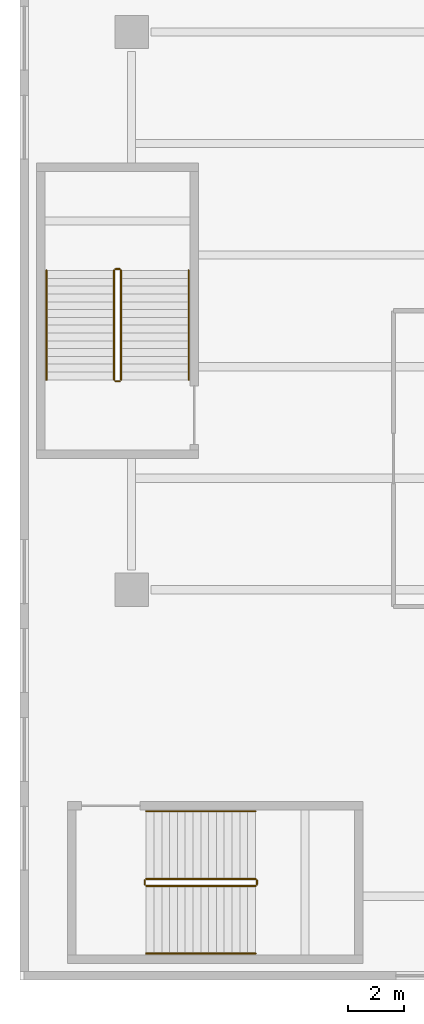
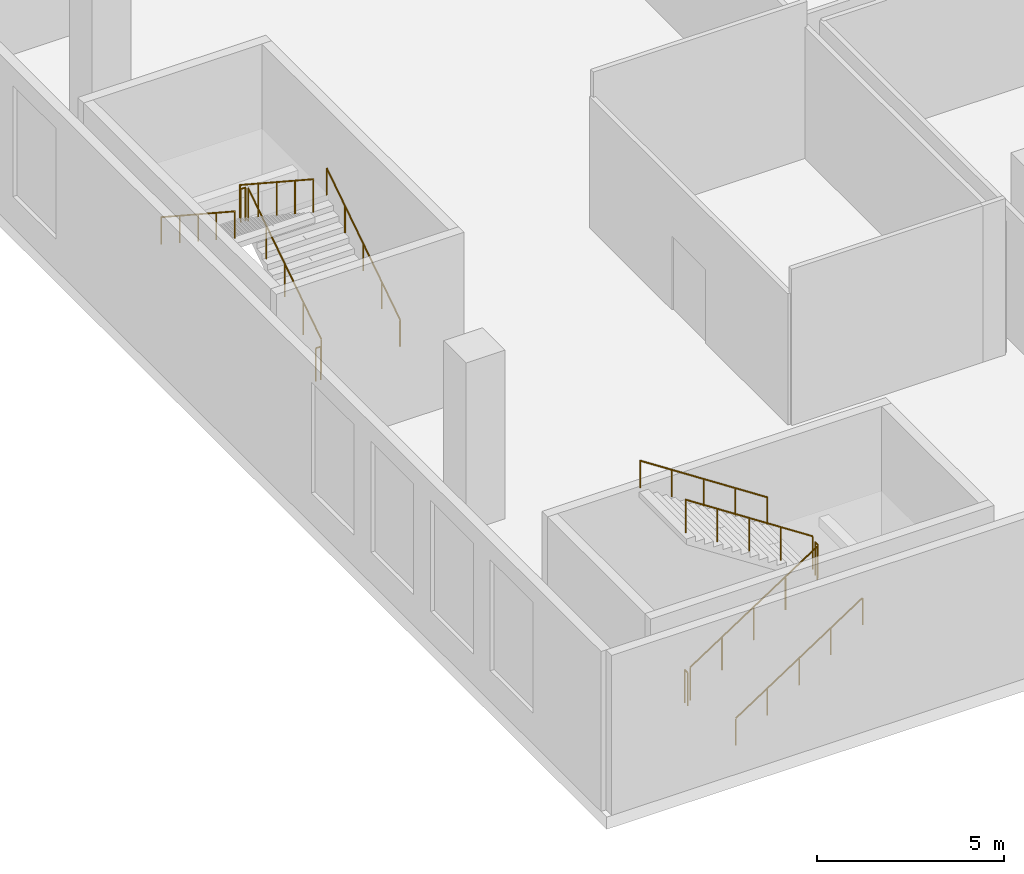
# One storey, part 18 of 26: 12 railings.
"""IFC4 building model written with IfcOpenShell, lengths in metres."""

import ifcopenshell
import ifcopenshell.guid

model = None  # the IFC model being written
_history = None  # IfcOwnerHistory: only IFC2X3 demands one
_inside = {}  # id of a spatial element -> (the spatial element, [elements in it])
_under = {}  # id of a project, library or spatial element -> (it, [spatial elements below it])
_declared = {}  # id of a project -> (the project, [libraries it declares])
_typed = {}  # id of a type object -> (the type object, [elements of that type])
_made_of = {}  # id of a material, layer set ... -> (it, [elements and type objects made of it])


def new_model(schema):
    """Start an empty IFC model of exactly this schema.

    Asked for "IFC4X3", IfcOpenShell would pick the latest addendum, in which some entities
    have other attributes; the version numbers below select the first issue.
    IFC2X3 requires an IfcOwnerHistory on every rooted entity: one is made here for all.
    """
    global model, _history
    if schema == "IFC4X3":
        model = ifcopenshell.file(schema_version=(4, 3, 0, 0))
    else:
        model = ifcopenshell.file(schema=schema)
    _inside.clear()
    _under.clear()
    _declared.clear()
    _typed.clear()
    _made_of.clear()
    _history = None
    if model.schema == "IFC2X3":
        org = make("IfcOrganization", Name="unknown")
        user = make(
            "IfcPersonAndOrganization",
            ThePerson=make("IfcPerson", FamilyName="unknown"),
            TheOrganization=org,
        )
        app = make(
            "IfcApplication",
            ApplicationDeveloper=org,
            Version="unknown",
            ApplicationFullName="unknown",
            ApplicationIdentifier="unknown",
        )
        _history = make(
            "IfcOwnerHistory",
            OwningUser=user,
            OwningApplication=app,
            ChangeAction="ADDED",
            CreationDate=0,
        )
    return model


def make(cls, **values):
    """One entity of the class cls with the attributes given. An attribute that is None is left unset."""
    return model.create_entity(
        cls, **{name: value for name, value in values.items() if value is not None}
    )


def rooted(cls, **values):
    """An entity with a GlobalId (a new one), such as an element, a storey or a relation."""
    return make(cls, GlobalId=ifcopenshell.guid.new(), OwnerHistory=_history, **values)


def si_unit(unit_type, name, prefix=None):
    """IfcSIUnit, for example si_unit("LENGTHUNIT", "METRE", prefix="MILLI")."""
    return make("IfcSIUnit", UnitType=unit_type, Prefix=prefix, Name=name)


def assignment(units):
    """IfcUnitAssignment: the units of a project."""
    return None if units is None else make("IfcUnitAssignment", Units=units)


def point(xyz):
    """IfcCartesianPoint."""
    return None if xyz is None else make("IfcCartesianPoint", Coordinates=xyz)


def direction(xyz):
    """IfcDirection."""
    return None if xyz is None else make("IfcDirection", DirectionRatios=xyz)


def frame(location, z_axis=None, x_axis=None):
    """IfcAxis2Placement3D, a coordinate frame: its origin and axes. An axis left out is left unset."""
    return make(
        "IfcAxis2Placement3D",
        Location=point(location),
        Axis=direction(z_axis),
        RefDirection=direction(x_axis),
    )


def frame_2d(location, x_axis=None):
    """IfcAxis2Placement2D, a coordinate frame in the plane: its origin and x axis."""
    return make(
        "IfcAxis2Placement2D", Location=point(location), RefDirection=direction(x_axis)
    )


def origin():
    """The frame at (0, 0, 0) with its axes left unset."""
    return frame((0.0, 0.0, 0.0))


def origin_2d():
    """The frame at (0, 0) in the plane with its x axis left unset."""
    return frame_2d((0.0, 0.0))


def place(relative_to, where):
    """IfcLocalPlacement: puts the frame where relative to a parent placement (None: the world)."""
    return make(
        "IfcLocalPlacement", PlacementRelTo=relative_to, RelativePlacement=where
    )


def context(
    kind, dimensions, precision=None, world=None, true_north=None, identifier=None
):
    """IfcGeometricRepresentationContext, for example the 3D "Model" context."""
    return make(
        "IfcGeometricRepresentationContext",
        ContextIdentifier=identifier,
        ContextType=kind,
        CoordinateSpaceDimension=dimensions,
        Precision=precision,
        WorldCoordinateSystem=world,
        TrueNorth=true_north,
    )


def subcontext(parent, identifier, kind, view, scale=None):
    """IfcGeometricRepresentationSubContext, for example "Body" below "Model"."""
    return make(
        "IfcGeometricRepresentationSubContext",
        ContextIdentifier=identifier,
        ContextType=kind,
        ParentContext=parent,
        TargetScale=scale,
        TargetView=view,
    )


def project(units=None, contexts=None):
    """IfcProject with its units and contexts."""
    return rooted(
        "IfcProject",
        Name="project",
        RepresentationContexts=contexts,
        UnitsInContext=assignment(units),
    )


def spatial(cls, under=None, at=None, **own):
    """A site, building, storey or space (cls), placed at a placement, below another one or the project."""
    s = rooted(cls, ObjectPlacement=at, **own)
    if under is not None:
        _under.setdefault(under.id(), (under, []))[1].append(s)
    return s


def profile(cls, at=None, kind="AREA", **sizes):
    """A parametric profile (cls). Its sizes go by their IFC names, for example OverallWidth=200.0."""
    return make(cls, ProfileType=kind, Position=at, **sizes)


def circle(**sizes):
    """IfcCircleProfileDef."""
    return profile("IfcCircleProfileDef", **sizes)


def extrude(swept, where, along, depth):
    """IfcExtrudedAreaSolid: the profile swept, set in the frame where, extruded along a direction by depth."""
    return make(
        "IfcExtrudedAreaSolid",
        SweptArea=swept,
        Position=where,
        ExtrudedDirection=direction(along),
        Depth=depth,
    )


def shape(context_of_items, identifier, shape_type, items):
    """IfcShapeRepresentation: the items that make up one representation, for example the "Body"."""
    return make(
        "IfcShapeRepresentation",
        ContextOfItems=context_of_items,
        RepresentationIdentifier=identifier,
        RepresentationType=shape_type,
        Items=items,
    )


def material(Name=None, Category=None):
    """IfcMaterial."""
    return make("IfcMaterial", Name=Name, Category=Category)


def made_of(thing, what):
    """Note that an element or type object is made of a material, layer set ...; save() writes the relation."""
    if what is not None:
        _made_of.setdefault(what.id(), (what, []))[1].append(thing)
    return thing


def type_object(cls, material=None, **own):
    """A type object (cls), such as IfcWallType, which elements share."""
    return made_of(rooted(cls, **own), material)


def element(
    cls,
    number,
    at=None,
    inside=None,
    cuts=None,
    type_object=None,
    material=None,
    context=None,
    identifier="Body",
    shape_type=None,
    held_by="IfcProductDefinitionShape",
    body=None,
    shapes=None,
    **own,
):
    """One element of the class cls, such as IfcWall. Its Tag is "e" and its number.

    at: its placement. inside: the storey or other place that contains it. cuts: it is an
    opening in that element (IfcRelVoidsElement). A single representation is given by context,
    identifier, shape_type and body (its items); several are given by shapes. held_by: the class
    of the entity that holds the representations. save() writes the other relations.
    """
    e = rooted(cls, Tag="e%d" % number, ObjectPlacement=at, **own)
    if body is not None:
        shapes = [shape(context, identifier, shape_type, body)]
    if shapes is not None:
        e.Representation = make(held_by, Representations=shapes)
    if inside is not None:
        _inside.setdefault(inside.id(), (inside, []))[1].append(e)
    if cuts is not None:
        rooted(
            "IfcRelVoidsElement", RelatingBuildingElement=cuts, RelatedOpeningElement=e
        )
    if type_object is not None:
        _typed.setdefault(type_object.id(), (type_object, []))[1].append(e)
    return made_of(e, material)


def aggregate(whole, parts):
    """IfcRelAggregates: a whole, such as a stair, and the parts it consists of."""
    return rooted("IfcRelAggregates", RelatingObject=whole, RelatedObjects=parts)


def save(model, path):
    """Write the relations noted so far, then the file.

    IfcRelAggregates (storeys below a building ...), IfcRelContainedInSpatialStructure (elements
    in a storey), IfcRelDefinesByType, IfcRelAssociatesMaterial and IfcRelDeclares: one each for
    every whole, place, type object, material and project.
    """
    for whole, parts in _under.values():
        aggregate(whole, parts)
    for where, things in _inside.values():
        rooted(
            "IfcRelContainedInSpatialStructure",
            RelatedElements=things,
            RelatingStructure=where,
        )
    for kind, things in _typed.values():
        rooted("IfcRelDefinesByType", RelatedObjects=things, RelatingType=kind)
    for what, things in _made_of.values():
        rooted("IfcRelAssociatesMaterial", RelatedObjects=things, RelatingMaterial=what)
    for by, libraries in _declared.values():
        rooted("IfcRelDeclares", RelatingContext=by, RelatedDefinitions=libraries)
    model.write(path)


model = new_model("IFC4")

# Units and contexts
model_context = context("Model", 3, precision=1e-05, world=origin(), true_north=direction((0.0, 1.0)))
body_context = subcontext(model_context, "Body", "Model", "MODEL_VIEW")
ifc_project = project(units=[si_unit("LENGTHUNIT", "METRE"), si_unit("AREAUNIT", "SQUARE_METRE"), si_unit("VOLUMEUNIT", "CUBIC_METRE"), si_unit("PLANEANGLEUNIT", "RADIAN"), si_unit("MASSUNIT", "GRAM", prefix="KILO")], contexts=[model_context])

# Site, building, storey
site_placement = place(None, origin())
site = spatial("IfcSite", under=ifc_project, at=site_placement, CompositionType="ELEMENT")
building_placement = place(site_placement, origin())
building = spatial("IfcBuilding", under=site, at=building_placement, Name="Tel Ilan Convention Tower", CompositionType="ELEMENT")
storey_placement = place(building_placement, frame((0.0, 0.0, 32.0)))
storey = spatial("IfcBuildingStorey", under=building, at=storey_placement, Name="L04", CompositionType="ELEMENT", Elevation=32.0)

# Railings
ifc_material_1 = material(Name="Stainless Steel Grade 316", Category="steel")
railing_type_1 = type_object("IfcRailingType", Name="Stainless Steel Stair Guard 1100 mm", PredefinedType="GUARDRAIL", material=ifc_material_1)
railing_1_placement = place(storey_placement, frame((-45.47509765625, -78.625, 0.183349609375)))
element("IfcRailing", 1, at=railing_1_placement, inside=storey, type_object=railing_type_1, Name="L04 P1 stair guard 1", PredefinedType="GUARDRAIL", context=body_context, shape_type="SweptSolid", body=[
    extrude(circle(Radius=0.02392578125, at=origin_2d()), frame((0.0, 0.0, 1.076171875), z_axis=(0.836630751959, 0.0, 0.54776727255), x_axis=(0.0, 1.0, 0.0)), (0.0, 0.0, 1.0), 4.685546875),
    extrude(circle(Radius=0.02099609375, at=origin_2d()), origin(), (0.0, 0.0, 1.0), 1.052001953125),
    extrude(circle(Radius=0.02099609375, at=origin_2d()), frame((0.97998046875, 0.0, 0.6416015625)), (0.0, 0.0, 1.0), 1.052001953125),
    extrude(circle(Radius=0.02099609375, at=origin_2d()), frame((1.9599609375, 0.0, 1.283203125)), (0.0, 0.0, 1.0), 1.052001953125),
    extrude(circle(Radius=0.02099609375, at=origin_2d()), frame((2.940185546875, 0.0, 1.925048828125)), (0.0, 0.0, 1.0), 1.052001953125),
    extrude(circle(Radius=0.02099609375, at=origin_2d()), frame((3.920166015625, 0.0, 2.566650390625)), (0.0, 0.0, 1.0), 1.052001953125),
])
railing_2_placement = place(storey_placement, frame((-41.5048828125, -78.574951171875, 2.75)))
element("IfcRailing", 2, at=railing_2_placement, inside=storey, type_object=railing_type_1, Name="L04 P1 stair guard 2", PredefinedType="GUARDRAIL", context=body_context, shape_type="SweptSolid", body=[
    extrude(circle(Radius=0.02392578125, at=origin_2d()), frame((0.0, 0.0, 1.076171875), z_axis=(0.0, 1.0, 0.0), x_axis=(-1.0, 0.0, 0.0)), (0.0, 0.0, 1.0), 0.14990234375),
    extrude(circle(Radius=0.02099609375, at=origin_2d()), origin(), (0.0, 0.0, 1.0), 1.052001953125),
    extrude(circle(Radius=0.02099609375, at=origin_2d()), frame((0.0, 0.14990234375, 0.0)), (0.0, 0.0, 1.0), 1.052001953125),
])
railing_3_placement = place(storey_placement, frame((-41.554931640625, -78.375, 2.933349609375)))
element("IfcRailing", 3, at=railing_3_placement, inside=storey, type_object=railing_type_1, Name="L04 P1 stair guard 3", PredefinedType="GUARDRAIL", context=body_context, shape_type="SweptSolid", body=[
    extrude(circle(Radius=0.02392578125, at=origin_2d()), frame((0.0, 0.0, 1.076171875), z_axis=(-0.836630751959, 0.0, 0.54776727255), x_axis=(0.0, -1.0, 0.0)), (0.0, 0.0, 1.0), 4.685546875),
    extrude(circle(Radius=0.02099609375, at=origin_2d()), origin(), (0.0, 0.0, 1.0), 1.052001953125),
    extrude(circle(Radius=0.02099609375, at=origin_2d()), frame((-0.97998046875, 0.0, 0.6416015625)), (0.0, 0.0, 1.0), 1.052001953125),
    extrude(circle(Radius=0.02099609375, at=origin_2d()), frame((-1.9599609375, 0.0, 1.283203125)), (0.0, 0.0, 1.0), 1.052001953125),
    extrude(circle(Radius=0.02099609375, at=origin_2d()), frame((-2.940185546875, 0.0, 1.925048828125)), (0.0, 0.0, 1.0), 1.052001953125),
    extrude(circle(Radius=0.02099609375, at=origin_2d()), frame((-3.920166015625, 0.0, 2.566650390625)), (0.0, 0.0, 1.0), 1.052001953125),
])
railing_4_placement = place(storey_placement, frame((-45.52490234375, -78.574951171875, 0.0)))
element("IfcRailing", 4, at=railing_4_placement, inside=storey, type_object=railing_type_1, Name="L04 P1 stair guard 4", PredefinedType="GUARDRAIL", context=body_context, shape_type="SweptSolid", body=[
    extrude(circle(Radius=0.02392578125, at=origin_2d()), frame((0.0, 0.0, 1.076171875), z_axis=(0.0, 1.0, 0.0), x_axis=(-1.0, 0.0, 0.0)), (0.0, 0.0, 1.0), 0.14990234375),
    extrude(circle(Radius=0.02099609375, at=origin_2d()), origin(), (0.0, 0.0, 1.0), 1.052001953125),
    extrude(circle(Radius=0.02099609375, at=origin_2d()), frame((0.0, 0.14990234375, 0.0)), (0.0, 0.0, 1.0), 1.052001953125),
])
railing_5_placement = place(storey_placement, frame((-46.375, -60.47509765625, 0.183349609375)))
element("IfcRailing", 5, at=railing_5_placement, inside=storey, type_object=railing_type_1, Name="L04 P5 stair guard 1", PredefinedType="GUARDRAIL", context=body_context, shape_type="SweptSolid", body=[
    extrude(circle(Radius=0.02392578125, at=origin_2d()), frame((0.0, 0.0, 1.076171875), z_axis=(0.0, 0.836630751959, 0.54776727255), x_axis=(-1.0, 0.0, 0.0)), (0.0, 0.0, 1.0), 4.685546875),
    extrude(circle(Radius=0.02099609375, at=origin_2d()), origin(), (0.0, 0.0, 1.0), 1.052001953125),
    extrude(circle(Radius=0.02099609375, at=origin_2d()), frame((0.0, 0.97998046875, 0.6416015625)), (0.0, 0.0, 1.0), 1.052001953125),
    extrude(circle(Radius=0.02099609375, at=origin_2d()), frame((0.0, 1.9599609375, 1.283203125)), (0.0, 0.0, 1.0), 1.052001953125),
    extrude(circle(Radius=0.02099609375, at=origin_2d()), frame((0.0, 2.940185546875, 1.925048828125)), (0.0, 0.0, 1.0), 1.052001953125),
    extrude(circle(Radius=0.02099609375, at=origin_2d()), frame((0.0, 3.920166015625, 2.566650390625)), (0.0, 0.0, 1.0), 1.052001953125),
])
railing_6_placement = place(storey_placement, frame((-46.425048828125, -56.5048828125, 2.75)))
element("IfcRailing", 6, at=railing_6_placement, inside=storey, type_object=railing_type_1, Name="L04 P5 stair guard 2", PredefinedType="GUARDRAIL", context=body_context, shape_type="SweptSolid", body=[
    extrude(circle(Radius=0.02392578125, at=origin_2d()), frame((0.0, 0.0, 1.076171875), z_axis=(-1.0, 0.0, 0.0), x_axis=(0.0, -1.0, 0.0)), (0.0, 0.0, 1.0), 0.14990234375),
    extrude(circle(Radius=0.02099609375, at=origin_2d()), origin(), (0.0, 0.0, 1.0), 1.052001953125),
    extrude(circle(Radius=0.02099609375, at=origin_2d()), frame((-0.14990234375, 0.0, 0.0)), (0.0, 0.0, 1.0), 1.052001953125),
])
railing_7_placement = place(storey_placement, frame((-46.625, -56.554931640625, 2.933349609375)))
element("IfcRailing", 7, at=railing_7_placement, inside=storey, type_object=railing_type_1, Name="L04 P5 stair guard 3", PredefinedType="GUARDRAIL", context=body_context, shape_type="SweptSolid", body=[
    extrude(circle(Radius=0.02392578125, at=origin_2d()), frame((0.0, 0.0, 1.076171875), z_axis=(0.0, -0.836630751959, 0.54776727255), x_axis=(1.0, 0.0, 0.0)), (0.0, 0.0, 1.0), 4.685546875),
    extrude(circle(Radius=0.02099609375, at=origin_2d()), origin(), (0.0, 0.0, 1.0), 1.052001953125),
    extrude(circle(Radius=0.02099609375, at=origin_2d()), frame((0.0, -0.97998046875, 0.6416015625)), (0.0, 0.0, 1.0), 1.052001953125),
    extrude(circle(Radius=0.02099609375, at=origin_2d()), frame((0.0, -1.9599609375, 1.283203125)), (0.0, 0.0, 1.0), 1.052001953125),
    extrude(circle(Radius=0.02099609375, at=origin_2d()), frame((0.0, -2.940185546875, 1.925048828125)), (0.0, 0.0, 1.0), 1.052001953125),
    extrude(circle(Radius=0.02099609375, at=origin_2d()), frame((0.0, -3.920166015625, 2.566650390625)), (0.0, 0.0, 1.0), 1.052001953125),
])
railing_8_placement = place(storey_placement, frame((-46.425048828125, -60.52490234375, 0.0)))
element("IfcRailing", 8, at=railing_8_placement, inside=storey, type_object=railing_type_1, Name="L04 P5 stair guard 4", PredefinedType="GUARDRAIL", context=body_context, shape_type="SweptSolid", body=[
    extrude(circle(Radius=0.02392578125, at=origin_2d()), frame((0.0, 0.0, 1.076171875), z_axis=(-1.0, 0.0, 0.0), x_axis=(0.0, -1.0, 0.0)), (0.0, 0.0, 1.0), 0.14990234375),
    extrude(circle(Radius=0.02099609375, at=origin_2d()), origin(), (0.0, 0.0, 1.0), 1.052001953125),
    extrude(circle(Radius=0.02099609375, at=origin_2d()), frame((-0.14990234375, 0.0, 0.0)), (0.0, 0.0, 1.0), 1.052001953125),
])
ifc_material_2 = material(Name="Stainless Steel Grade 316", Category="steel")
railing_type_2 = type_object("IfcRailingType", Name="Stainless Steel Stair Handrail 900 mm", PredefinedType="HANDRAIL", material=ifc_material_2)
railing_9_placement = place(storey_placement, frame((-45.47509765625, -81.050048828125, 0.183349609375)))
element("IfcRailing", 9, at=railing_9_placement, inside=storey, type_object=railing_type_2, Name="L04 P1 stair handrail 1", PredefinedType="HANDRAIL", context=body_context, shape_type="SweptSolid", body=[
    extrude(circle(Radius=0.02392578125, at=origin_2d()), frame((0.0, 0.0, 0.8759765625), z_axis=(0.836630751959, 0.0, 0.54776727255), x_axis=(0.0, 1.0, 0.0)), (0.0, 0.0, 1.0), 4.685546875),
    extrude(circle(Radius=0.02099609375, at=origin_2d()), origin(), (0.0, 0.0, 1.0), 0.851806640625),
    extrude(circle(Radius=0.02099609375, at=origin_2d()), frame((0.97998046875, 0.0, 0.6416015625)), (0.0, 0.0, 1.0), 0.851806640625),
    extrude(circle(Radius=0.02099609375, at=origin_2d()), frame((1.9599609375, 0.0, 1.283203125)), (0.0, 0.0, 1.0), 0.851806640625),
    extrude(circle(Radius=0.02099609375, at=origin_2d()), frame((2.940185546875, 0.0, 1.925048828125)), (0.0, 0.0, 1.0), 0.851806640625),
    extrude(circle(Radius=0.02099609375, at=origin_2d()), frame((3.920166015625, 0.0, 2.566650390625)), (0.0, 0.0, 1.0), 0.851806640625),
])
railing_10_placement = place(storey_placement, frame((-41.554931640625, -75.949951171875, 2.933349609375)))
element("IfcRailing", 10, at=railing_10_placement, inside=storey, type_object=railing_type_2, Name="L04 P1 stair handrail 2", PredefinedType="HANDRAIL", context=body_context, shape_type="SweptSolid", body=[
    extrude(circle(Radius=0.02392578125, at=origin_2d()), frame((0.0, 0.0, 0.8759765625), z_axis=(-0.836630751959, 0.0, 0.54776727255), x_axis=(0.0, -1.0, 0.0)), (0.0, 0.0, 1.0), 4.685546875),
    extrude(circle(Radius=0.02099609375, at=origin_2d()), origin(), (0.0, 0.0, 1.0), 0.851806640625),
    extrude(circle(Radius=0.02099609375, at=origin_2d()), frame((-0.97998046875, 0.0, 0.6416015625)), (0.0, 0.0, 1.0), 0.851806640625),
    extrude(circle(Radius=0.02099609375, at=origin_2d()), frame((-1.9599609375, 0.0, 1.283203125)), (0.0, 0.0, 1.0), 0.851806640625),
    extrude(circle(Radius=0.02099609375, at=origin_2d()), frame((-2.940185546875, 0.0, 1.925048828125)), (0.0, 0.0, 1.0), 0.851806640625),
    extrude(circle(Radius=0.02099609375, at=origin_2d()), frame((-3.920166015625, 0.0, 2.566650390625)), (0.0, 0.0, 1.0), 0.851806640625),
])
railing_11_placement = place(storey_placement, frame((-43.949951171875, -60.47509765625, 0.183349609375)))
element("IfcRailing", 11, at=railing_11_placement, inside=storey, type_object=railing_type_2, Name="L04 P5 stair handrail 1", PredefinedType="HANDRAIL", context=body_context, shape_type="SweptSolid", body=[
    extrude(circle(Radius=0.02392578125, at=origin_2d()), frame((0.0, 0.0, 0.8759765625), z_axis=(0.0, 0.836630751959, 0.54776727255), x_axis=(-1.0, 0.0, 0.0)), (0.0, 0.0, 1.0), 4.685546875),
    extrude(circle(Radius=0.02099609375, at=origin_2d()), origin(), (0.0, 0.0, 1.0), 0.851806640625),
    extrude(circle(Radius=0.02099609375, at=origin_2d()), frame((0.0, 0.97998046875, 0.6416015625)), (0.0, 0.0, 1.0), 0.851806640625),
    extrude(circle(Radius=0.02099609375, at=origin_2d()), frame((0.0, 1.9599609375, 1.283203125)), (0.0, 0.0, 1.0), 0.851806640625),
    extrude(circle(Radius=0.02099609375, at=origin_2d()), frame((0.0, 2.940185546875, 1.925048828125)), (0.0, 0.0, 1.0), 0.851806640625),
    extrude(circle(Radius=0.02099609375, at=origin_2d()), frame((0.0, 3.920166015625, 2.566650390625)), (0.0, 0.0, 1.0), 0.851806640625),
])
railing_12_placement = place(storey_placement, frame((-49.050048828125, -56.554931640625, 2.933349609375)))
element("IfcRailing", 12, at=railing_12_placement, inside=storey, type_object=railing_type_2, Name="L04 P5 stair handrail 2", PredefinedType="HANDRAIL", context=body_context, shape_type="SweptSolid", body=[
    extrude(circle(Radius=0.02392578125, at=origin_2d()), frame((0.0, 0.0, 0.8759765625), z_axis=(0.0, -0.836630751959, 0.54776727255), x_axis=(1.0, 0.0, 0.0)), (0.0, 0.0, 1.0), 4.685546875),
    extrude(circle(Radius=0.02099609375, at=origin_2d()), origin(), (0.0, 0.0, 1.0), 0.851806640625),
    extrude(circle(Radius=0.02099609375, at=origin_2d()), frame((0.0, -0.97998046875, 0.6416015625)), (0.0, 0.0, 1.0), 0.851806640625),
    extrude(circle(Radius=0.02099609375, at=origin_2d()), frame((0.0, -1.9599609375, 1.283203125)), (0.0, 0.0, 1.0), 0.851806640625),
    extrude(circle(Radius=0.02099609375, at=origin_2d()), frame((0.0, -2.940185546875, 1.925048828125)), (0.0, 0.0, 1.0), 0.851806640625),
    extrude(circle(Radius=0.02099609375, at=origin_2d()), frame((0.0, -3.920166015625, 2.566650390625)), (0.0, 0.0, 1.0), 0.851806640625),
])

save(model, "model.ifc")
